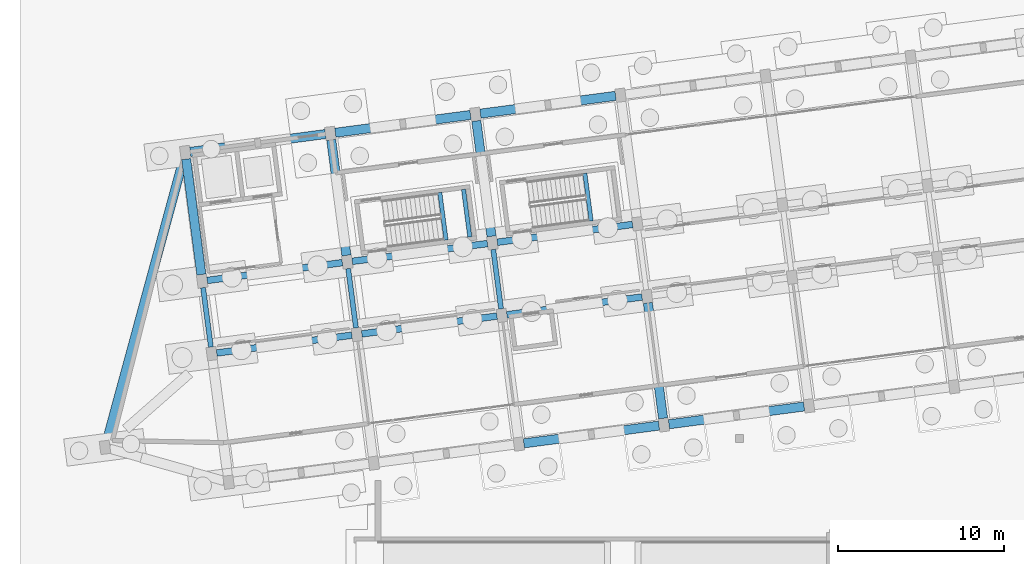
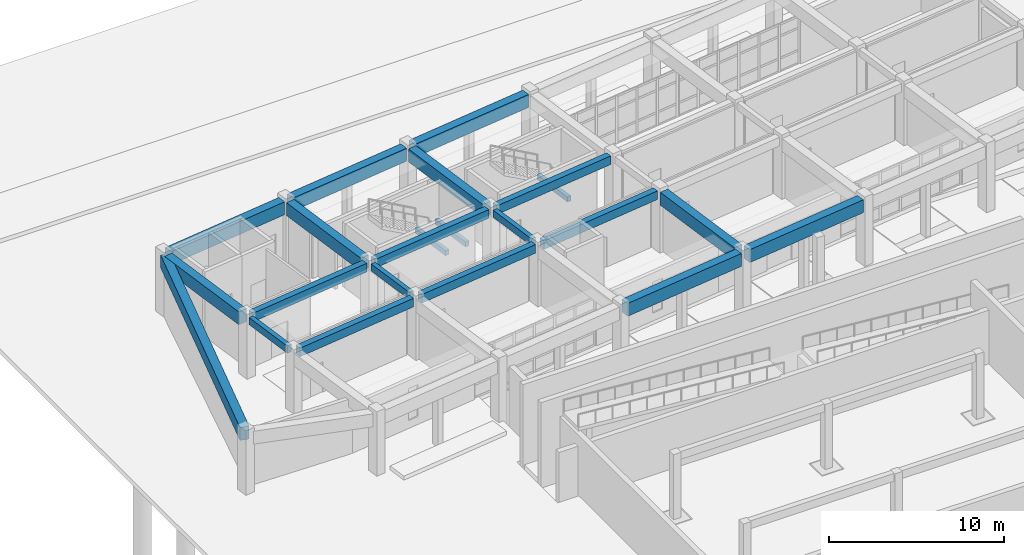
# One storey, part 61 of 154: 22 beams.
"""IFC4 building model written with IfcOpenShell, lengths in metres."""

from ifc_helpers import new_model, si_unit, direction, frame, origin, origin_2d, place, context, subcontext, project, spatial, rectangle, extrude, material, material_profile, profile_set, type_object, element, save


model = new_model("IFC4")

# Units and contexts
model_context = context("Model", 3, precision=1e-05, world=origin(), true_north=direction((0.0, 1.0)))
body_context = subcontext(model_context, "Body", "Model", "MODEL_VIEW")
ifc_project = project(units=[si_unit("LENGTHUNIT", "METRE"), si_unit("AREAUNIT", "SQUARE_METRE"), si_unit("VOLUMEUNIT", "CUBIC_METRE"), si_unit("PLANEANGLEUNIT", "RADIAN"), si_unit("MASSUNIT", "GRAM", prefix="KILO")], contexts=[model_context])

# Site, building, storey
site_placement = place(None, origin())
site = spatial("IfcSite", under=ifc_project, at=site_placement, CompositionType="ELEMENT")
building_placement = place(site_placement, origin())
building = spatial("IfcBuilding", under=site, at=building_placement, Name="Kestramere Prow Commons", CompositionType="ELEMENT")
storey_placement = place(building_placement, origin())
storey = spatial("IfcBuildingStorey", under=building, at=storey_placement, Name="L00", CompositionType="ELEMENT", Elevation=0.0)

# Beams
ifc_material_1 = material(Name="Precast concrete C40/50", Category="concrete")
ifc_material_profile_1 = material_profile(ifc_material_1, rectangle(XDim=0.39990234375, YDim=0.60009765625, at=origin_2d()), Name="PC-BM 400x600")
ifc_profile_set_1 = profile_set([ifc_material_profile_1], Name="Precast concrete C40/50")
beam_type_1 = type_object("IfcBeamType", Name="BM-A1 PC-BM 400x600", PredefinedType="BEAM", material=ifc_profile_set_1)
for number, where, z_axis, x_axis, name in (
    (1, (10.479248046875, 79.7724609375, 3.949951171875), (0.991444969909, 0.13052536781, 0.0), (-0.13052536781, 0.991444969909, 0.0), "Block A L00 Longitudinal Beam 2-1"),
    (2, (19.2041015625, 80.921142578125, 3.949951171875), (0.991444969909, 0.13052536781, 0.0), (-0.13052536781, 0.991444969909, 0.0), "Block A L00 Longitudinal Beam 2-2"),
    (3, (27.9287109375, 82.069580078125, 3.949951171875), (0.991444969909, 0.13052536781, 0.0), (-0.13052536781, 0.991444969909, 0.0), "Block A L00 Longitudinal Beam 2-3"),
    (4, (9.905029296875, 84.134765625, 3.949951171875), (0.991444969909, 0.13052536781, 0.0), (-0.13052536781, 0.991444969909, 0.0), "Block A L00 Longitudinal Beam 3-1"),
    (5, (18.629638671875, 85.283447265625, 3.949951171875), (0.991444969909, 0.13052536781, 0.0), (-0.13052536781, 0.991444969909, 0.0), "Block A L00 Longitudinal Beam 3-2"),
    (6, (27.3544921875, 86.43212890625, 3.949951171875), (0.991444969909, 0.13052536781, 0.0), (-0.13052536781, 0.991444969909, 0.0), "Block A L00 Longitudinal Beam 3-3"),
):
    element("IfcBeam", number, at=place(storey_placement, frame(where, z_axis=z_axis, x_axis=x_axis)), inside=storey, type_object=beam_type_1, Name=name, PredefinedType="BEAM", context=body_context, shape_type="SweptSolid", body=[
        extrude(rectangle(XDim=0.39990234375, YDim=0.60009765625, at=origin_2d()), origin(), (0.0, 0.0, 1.0), 8.199951171875),
    ])
ifc_material_2 = material(Name="Concrete C40/50", Category="concrete")
ifc_material_profile_2 = material_profile(ifc_material_2, rectangle(XDim=0.25, YDim=0.35009765625, at=origin_2d()), Name="PC-BM 250x350")
ifc_profile_set_2 = profile_set([ifc_material_profile_2], Name="Concrete C40/50")
beam_type_2 = type_object("IfcBeamType", Name="BM-ST-TRIM", PredefinedType="BEAM", material=ifc_profile_set_2)
for number, where, z_axis, x_axis, name in (
    (7, (24.271240234375, 86.560791015625, 1.875), (-0.130520071219, 0.9914456672, 0.0), (-0.9914456672, -0.130520071219, 0.0), "ST-A1 L00 Landing Trimmer Beam 1A"),
    (8, (25.698974609375, 86.748779296875, 1.875), (-0.130520071219, 0.9914456672, 0.0), (-0.9914456672, -0.130520071219, 0.0), "ST-A1 L00 Landing Trimmer Beam 1B"),
):
    element("IfcBeam", number, at=place(storey_placement, frame(where, z_axis=z_axis, x_axis=x_axis)), inside=storey, type_object=beam_type_2, Name=name, PredefinedType="BEAM", context=body_context, shape_type="SweptSolid", body=[
        extrude(rectangle(XDim=0.25, YDim=0.35009765625, at=origin_2d()), origin(), (0.0, 0.0, 1.0), 2.889892578125),
    ])
beam_1_placement = place(storey_placement, frame((32.99609375, 87.709228515625, 1.875), z_axis=(-0.130592172024, 0.991436172734, 0.0), x_axis=(-0.991436172734, -0.130592172024, 0.0)))
element("IfcBeam", 9, at=beam_1_placement, inside=storey, type_object=beam_type_2, Name="ST-A2 L00 Landing Trimmer Beam 1A", PredefinedType="BEAM", context=body_context, shape_type="SweptSolid", body=[
    extrude(rectangle(XDim=0.25, YDim=0.35009765625, at=origin_2d()), origin(), (0.0, 0.0, 1.0), 2.89013671875),
])
ifc_material_profile_3 = material_profile(ifc_material_1, rectangle(XDim=0.300048828125, YDim=0.5, at=origin_2d()), Name="PC-BM 300x500")
ifc_profile_set_3 = profile_set([ifc_material_profile_3], Name="Precast concrete C40/50")
beam_type_3 = type_object("IfcBeamType", Name="BM-TIE-01 PC-BM 300x500", PredefinedType="BEAM", material=ifc_profile_set_3)
for number, where, z_axis, x_axis, name in (
    (10, (10.129638671875, 80.1298828125, 4.0), (-0.130484336385, 0.9914503709, 0.0), (-0.9914503709, -0.130484336385, 0.0), "Block A L00 Transverse Beam 1-2"),
    (11, (18.8544921875, 81.278564453125, 4.0), (-0.130551000099, 0.991441595039, 0.0), (-0.991441595039, -0.130551000099, 0.0), "Block A L00 Transverse Beam 2-2"),
):
    element("IfcBeam", number, at=place(storey_placement, frame(where, z_axis=z_axis, x_axis=x_axis)), inside=storey, type_object=beam_type_3, Name=name, PredefinedType="BEAM", context=body_context, shape_type="SweptSolid", body=[
        extrude(rectangle(XDim=0.300048828125, YDim=0.5, at=origin_2d()), origin(), (0.0, 0.0, 1.0), 3.599853515625),
    ])
beam_2_placement = place(storey_placement, frame((27.5791015625, 82.427001953125, 4.0), z_axis=(-0.130542222659, 0.991442750795, 0.0), x_axis=(-0.991442750795, -0.130542222659, 0.0)))
element("IfcBeam", 12, at=beam_2_placement, inside=storey, type_object=beam_type_3, Name="Block A L00 Transverse Beam 3-2", PredefinedType="BEAM", context=body_context, shape_type="SweptSolid", body=[
    extrude(rectangle(XDim=0.300048828125, YDim=0.5, at=origin_2d()), origin(), (0.0, 0.0, 1.0), 3.60009765625),
])
ifc_material_profile_4 = material_profile(ifc_material_1, rectangle(XDim=0.550048828125, YDim=0.89990234375, at=origin_2d()), Name="PC-TG 550x900")
ifc_profile_set_4 = profile_set([ifc_material_profile_4], Name="Precast concrete C40/50")
beam_type_4 = type_object("IfcBeamType", Name="TG-01 PC-TG 550x900 (EX)", PredefinedType="BEAM", material=ifc_profile_set_4)
beam_3_placement = place(storey_placement, frame((8.515869140625, 91.558837890625, 3.800048828125), z_axis=(-0.262653591278, -0.964890196338, 0.0), x_axis=(0.964890196338, -0.262653591278, 0.0)))
element("IfcBeam", 13, at=beam_3_placement, inside=storey, type_object=beam_type_4, Name="Block A L00 Prow Facet Beam N", PredefinedType="BEAM", context=body_context, shape_type="SweptSolid", body=[
    extrude(rectangle(XDim=0.550048828125, YDim=0.89990234375, at=origin_2d()), origin(), (0.0, 0.0, 1.0), 17.81689453125),
])
for number, where, z_axis, x_axis, name in (
    (14, (28.94677734375, 74.33642578125, 3.800048828125), (0.991444969909, 0.13052536781, 0.0), (-0.13052536781, 0.991444969909, 0.0), "Block A L00 Longitudinal Beam 1-3"),
    (15, (37.671630859375, 75.485107421875, 3.800048828125), (0.991444969909, 0.13052536781, 0.0), (-0.13052536781, 0.991444969909, 0.0), "Block A L00 Longitudinal Beam 1-4"),
    (16, (8.886962890625, 91.8681640625, 3.800048828125), (0.991444969909, 0.13052536781, 0.0), (-0.13052536781, 0.991444969909, 0.0), "Block A L00 Longitudinal Beam 4-1"),
    (17, (17.611572265625, 93.0166015625, 3.800048828125), (0.991444969909, 0.13052536781, 0.0), (-0.13052536781, 0.991444969909, 0.0), "Block A L00 Longitudinal Beam 4-2"),
    (18, (26.33642578125, 94.165283203125, 3.800048828125), (0.991444969909, 0.13052536781, 0.0), (-0.13052536781, 0.991444969909, 0.0), "Block A L00 Longitudinal Beam 4-3"),
):
    element("IfcBeam", number, at=place(storey_placement, frame(where, z_axis=z_axis, x_axis=x_axis)), inside=storey, type_object=beam_type_4, Name=name, PredefinedType="BEAM", context=body_context, shape_type="SweptSolid", body=[
        extrude(rectangle(XDim=0.550048828125, YDim=0.89990234375, at=origin_2d()), origin(), (0.0, 0.0, 1.0), 8.199951171875),
    ])
for number, where, z_axis, x_axis, name in (
    (19, (9.555419921875, 84.4921875, 3.800048828125), (-0.130543828916, 0.991442539299, 0.0), (-0.991442539299, -0.130543828916, 0.0), "Block A L00 N Colonnade Transfer Girder 1"),
    (20, (18.280029296875, 85.640869140625, 3.800048828125), (-0.13050954625, 0.991447052715, 0.0), (-0.991447052715, -0.13050954625, 0.0), "Block A L00 N Colonnade Transfer Girder 2"),
):
    element("IfcBeam", number, at=place(storey_placement, frame(where, z_axis=z_axis, x_axis=x_axis)), inside=storey, type_object=beam_type_4, Name=name, PredefinedType="BEAM", context=body_context, shape_type="SweptSolid", body=[
        extrude(rectangle(XDim=0.550048828125, YDim=0.89990234375, at=origin_2d()), origin(), (0.0, 0.0, 1.0), 7.0),
    ])
for number, where, z_axis, x_axis, name in (
    (21, (27.0048828125, 86.78955078125, 3.800048828125), (-0.130548343059, 0.991441944909, 0.0), (-0.991441944909, -0.130548343059, 0.0), "Block A L00 N Colonnade Transfer Girder 3"),
    (22, (37.322021484375, 75.842529296875, 3.800048828125), (-0.130548343059, 0.991441944909, 0.0), (-0.991441944909, -0.130548343059, 0.0), "Block A L00 S Colonnade Transfer Girder 4"),
):
    element("IfcBeam", number, at=place(storey_placement, frame(where, z_axis=z_axis, x_axis=x_axis)), inside=storey, type_object=beam_type_4, Name=name, PredefinedType="BEAM", context=body_context, shape_type="SweptSolid", body=[
        extrude(rectangle(XDim=0.550048828125, YDim=0.89990234375, at=origin_2d()), origin(), (0.0, 0.0, 1.0), 6.999755859375),
    ])

save(model, "model.ifc")
